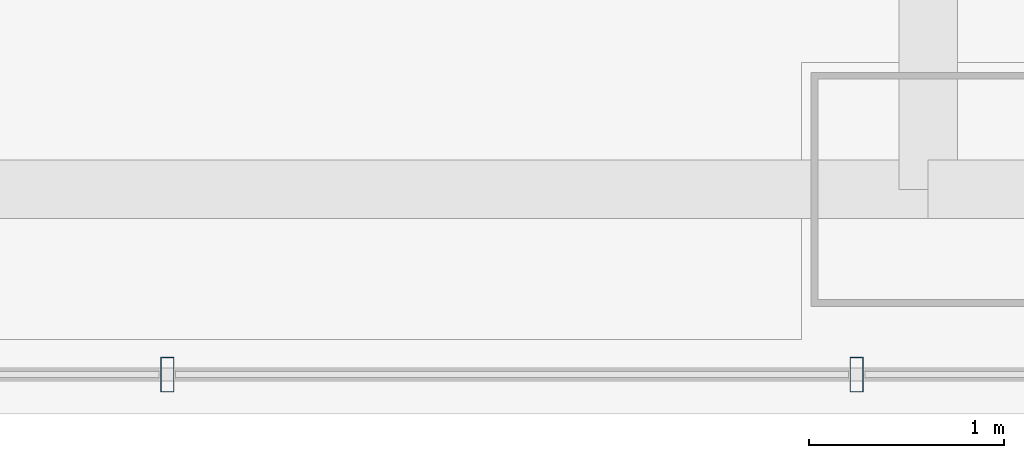
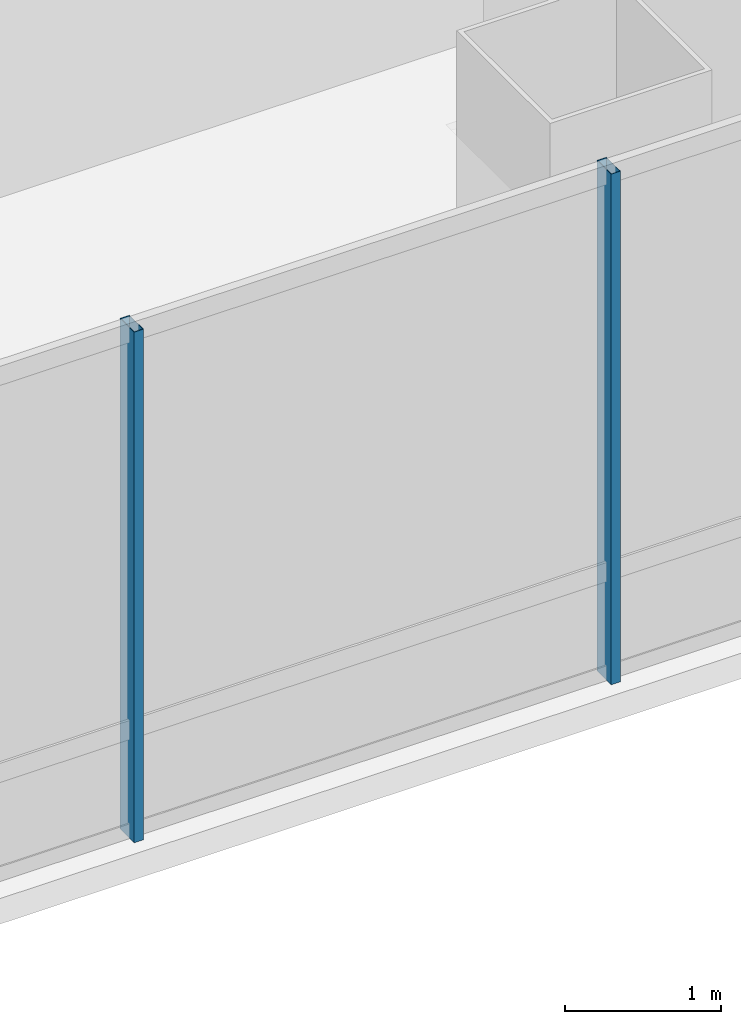
# One storey, part 7 of 41: 2 members, 1 element without a shape of its own.
"""IFC4 building model written with IfcOpenShell, lengths in metres."""

import ifcopenshell
import ifcopenshell.guid

model = None  # the IFC model being written
_history = None  # IfcOwnerHistory: only IFC2X3 demands one
_inside = {}  # id of a spatial element -> (the spatial element, [elements in it])
_under = {}  # id of a project, library or spatial element -> (it, [spatial elements below it])
_declared = {}  # id of a project -> (the project, [libraries it declares])
_typed = {}  # id of a type object -> (the type object, [elements of that type])
_made_of = {}  # id of a material, layer set ... -> (it, [elements and type objects made of it])


def new_model(schema):
    """Start an empty IFC model of exactly this schema.

    Asked for "IFC4X3", IfcOpenShell would pick the latest addendum, in which some entities
    have other attributes; the version numbers below select the first issue.
    IFC2X3 requires an IfcOwnerHistory on every rooted entity: one is made here for all.
    """
    global model, _history
    if schema == "IFC4X3":
        model = ifcopenshell.file(schema_version=(4, 3, 0, 0))
    else:
        model = ifcopenshell.file(schema=schema)
    _inside.clear()
    _under.clear()
    _declared.clear()
    _typed.clear()
    _made_of.clear()
    _history = None
    if model.schema == "IFC2X3":
        org = make("IfcOrganization", Name="unknown")
        user = make(
            "IfcPersonAndOrganization",
            ThePerson=make("IfcPerson", FamilyName="unknown"),
            TheOrganization=org,
        )
        app = make(
            "IfcApplication",
            ApplicationDeveloper=org,
            Version="unknown",
            ApplicationFullName="unknown",
            ApplicationIdentifier="unknown",
        )
        _history = make(
            "IfcOwnerHistory",
            OwningUser=user,
            OwningApplication=app,
            ChangeAction="ADDED",
            CreationDate=0,
        )
    return model


def make(cls, **values):
    """One entity of the class cls with the attributes given. An attribute that is None is left unset."""
    return model.create_entity(
        cls, **{name: value for name, value in values.items() if value is not None}
    )


def rooted(cls, **values):
    """An entity with a GlobalId (a new one), such as an element, a storey or a relation."""
    return make(cls, GlobalId=ifcopenshell.guid.new(), OwnerHistory=_history, **values)


def si_unit(unit_type, name, prefix=None):
    """IfcSIUnit, for example si_unit("LENGTHUNIT", "METRE", prefix="MILLI")."""
    return make("IfcSIUnit", UnitType=unit_type, Prefix=prefix, Name=name)


def assignment(units):
    """IfcUnitAssignment: the units of a project."""
    return None if units is None else make("IfcUnitAssignment", Units=units)


def point(xyz):
    """IfcCartesianPoint."""
    return None if xyz is None else make("IfcCartesianPoint", Coordinates=xyz)


def direction(xyz):
    """IfcDirection."""
    return None if xyz is None else make("IfcDirection", DirectionRatios=xyz)


def frame(location, z_axis=None, x_axis=None):
    """IfcAxis2Placement3D, a coordinate frame: its origin and axes. An axis left out is left unset."""
    return make(
        "IfcAxis2Placement3D",
        Location=point(location),
        Axis=direction(z_axis),
        RefDirection=direction(x_axis),
    )


def frame_2d(location, x_axis=None):
    """IfcAxis2Placement2D, a coordinate frame in the plane: its origin and x axis."""
    return make(
        "IfcAxis2Placement2D", Location=point(location), RefDirection=direction(x_axis)
    )


def origin():
    """The frame at (0, 0, 0) with its axes left unset."""
    return frame((0.0, 0.0, 0.0))


def origin_2d():
    """The frame at (0, 0) in the plane with its x axis left unset."""
    return frame_2d((0.0, 0.0))


def place(relative_to, where):
    """IfcLocalPlacement: puts the frame where relative to a parent placement (None: the world)."""
    return make(
        "IfcLocalPlacement", PlacementRelTo=relative_to, RelativePlacement=where
    )


def context(
    kind, dimensions, precision=None, world=None, true_north=None, identifier=None
):
    """IfcGeometricRepresentationContext, for example the 3D "Model" context."""
    return make(
        "IfcGeometricRepresentationContext",
        ContextIdentifier=identifier,
        ContextType=kind,
        CoordinateSpaceDimension=dimensions,
        Precision=precision,
        WorldCoordinateSystem=world,
        TrueNorth=true_north,
    )


def subcontext(parent, identifier, kind, view, scale=None):
    """IfcGeometricRepresentationSubContext, for example "Body" below "Model"."""
    return make(
        "IfcGeometricRepresentationSubContext",
        ContextIdentifier=identifier,
        ContextType=kind,
        ParentContext=parent,
        TargetScale=scale,
        TargetView=view,
    )


def project(units=None, contexts=None):
    """IfcProject with its units and contexts."""
    return rooted(
        "IfcProject",
        Name="project",
        RepresentationContexts=contexts,
        UnitsInContext=assignment(units),
    )


def spatial(cls, under=None, at=None, **own):
    """A site, building, storey or space (cls), placed at a placement, below another one or the project."""
    s = rooted(cls, ObjectPlacement=at, **own)
    if under is not None:
        _under.setdefault(under.id(), (under, []))[1].append(s)
    return s


def profile(cls, at=None, kind="AREA", **sizes):
    """A parametric profile (cls). Its sizes go by their IFC names, for example OverallWidth=200.0."""
    return make(cls, ProfileType=kind, Position=at, **sizes)


def hollow_rectangle(**sizes):
    """IfcRectangleHollowProfileDef."""
    return profile("IfcRectangleHollowProfileDef", **sizes)


def extrude(swept, where, along, depth):
    """IfcExtrudedAreaSolid: the profile swept, set in the frame where, extruded along a direction by depth."""
    return make(
        "IfcExtrudedAreaSolid",
        SweptArea=swept,
        Position=where,
        ExtrudedDirection=direction(along),
        Depth=depth,
    )


def shape(context_of_items, identifier, shape_type, items):
    """IfcShapeRepresentation: the items that make up one representation, for example the "Body"."""
    return make(
        "IfcShapeRepresentation",
        ContextOfItems=context_of_items,
        RepresentationIdentifier=identifier,
        RepresentationType=shape_type,
        Items=items,
    )


def material(Name=None, Category=None):
    """IfcMaterial."""
    return make("IfcMaterial", Name=Name, Category=Category)


def material_profile(
    of_material, cross_section, Name=None, Category=None, Priority=None
):
    """IfcMaterialProfile: a cross section and its material."""
    return make(
        "IfcMaterialProfile",
        Name=Name,
        Material=of_material,
        Profile=cross_section,
        Priority=Priority,
        Category=Category,
    )


def profile_set(profiles, Name=None, composite=None):
    """IfcMaterialProfileSet."""
    return make(
        "IfcMaterialProfileSet",
        Name=Name,
        MaterialProfiles=profiles,
        CompositeProfile=composite,
    )


def made_of(thing, what):
    """Note that an element or type object is made of a material, layer set ...; save() writes the relation."""
    if what is not None:
        _made_of.setdefault(what.id(), (what, []))[1].append(thing)
    return thing


def type_object(cls, material=None, **own):
    """A type object (cls), such as IfcWallType, which elements share."""
    return made_of(rooted(cls, **own), material)


def element(
    cls,
    number,
    at=None,
    inside=None,
    cuts=None,
    type_object=None,
    material=None,
    context=None,
    identifier="Body",
    shape_type=None,
    held_by="IfcProductDefinitionShape",
    body=None,
    shapes=None,
    **own,
):
    """One element of the class cls, such as IfcWall. Its Tag is "e" and its number.

    at: its placement. inside: the storey or other place that contains it. cuts: it is an
    opening in that element (IfcRelVoidsElement). A single representation is given by context,
    identifier, shape_type and body (its items); several are given by shapes. held_by: the class
    of the entity that holds the representations. save() writes the other relations.
    """
    e = rooted(cls, Tag="e%d" % number, ObjectPlacement=at, **own)
    if body is not None:
        shapes = [shape(context, identifier, shape_type, body)]
    if shapes is not None:
        e.Representation = make(held_by, Representations=shapes)
    if inside is not None:
        _inside.setdefault(inside.id(), (inside, []))[1].append(e)
    if cuts is not None:
        rooted(
            "IfcRelVoidsElement", RelatingBuildingElement=cuts, RelatedOpeningElement=e
        )
    if type_object is not None:
        _typed.setdefault(type_object.id(), (type_object, []))[1].append(e)
    return made_of(e, material)


def aggregate(whole, parts):
    """IfcRelAggregates: a whole, such as a stair, and the parts it consists of."""
    return rooted("IfcRelAggregates", RelatingObject=whole, RelatedObjects=parts)


def save(model, path):
    """Write the relations noted so far, then the file.

    IfcRelAggregates (storeys below a building ...), IfcRelContainedInSpatialStructure (elements
    in a storey), IfcRelDefinesByType, IfcRelAssociatesMaterial and IfcRelDeclares: one each for
    every whole, place, type object, material and project.
    """
    for whole, parts in _under.values():
        aggregate(whole, parts)
    for where, things in _inside.values():
        rooted(
            "IfcRelContainedInSpatialStructure",
            RelatedElements=things,
            RelatingStructure=where,
        )
    for kind, things in _typed.values():
        rooted("IfcRelDefinesByType", RelatedObjects=things, RelatingType=kind)
    for what, things in _made_of.values():
        rooted("IfcRelAssociatesMaterial", RelatedObjects=things, RelatingMaterial=what)
    for by, libraries in _declared.values():
        rooted("IfcRelDeclares", RelatingContext=by, RelatedDefinitions=libraries)
    model.write(path)


model = new_model("IFC4")

# Units and contexts
model_context = context("Model", 3, precision=1e-05, world=origin(), true_north=direction((0.0, 1.0)))
body_context = subcontext(model_context, "Body", "Model", "MODEL_VIEW")
ifc_project = project(units=[si_unit("LENGTHUNIT", "METRE"), si_unit("AREAUNIT", "SQUARE_METRE"), si_unit("VOLUMEUNIT", "CUBIC_METRE"), si_unit("PLANEANGLEUNIT", "RADIAN"), si_unit("MASSUNIT", "GRAM", prefix="KILO")], contexts=[model_context])

# Site, building, storey
site_placement = place(None, origin())
site = spatial("IfcSite", under=ifc_project, at=site_placement, CompositionType="ELEMENT")
building_placement = place(site_placement, origin())
building = spatial("IfcBuilding", under=site, at=building_placement, Name="Punatoya Terracotta Tower", CompositionType="ELEMENT")
storey_placement = place(building_placement, frame((0.0, 0.0, 292.199951171875)))
storey = spatial("IfcBuildingStorey", under=building, at=storey_placement, Name="L69", CompositionType="ELEMENT", Elevation=292.199951171875)

# Curtain wall, members
ifc_material_1 = material(Name="Aluminium 6063-T6 + Double Low-E Glass", Category="aluminium")
curtain_wall_type = type_object("IfcCurtainWallType", Name="CW-M3", PredefinedType="NOTDEFINED", material=ifc_material_1)
curtain_wall_placement = place(storey_placement, origin())
curtain_wall = element("IfcCurtainWall", 1, at=curtain_wall_placement, inside=storey, type_object=curtain_wall_type, Name="L69 Curtain Wall CW-L69-S01-1", PredefinedType="NOTDEFINED")
ifc_material_2 = material(Name="Aluminium 6063-T6", Category="aluminium")
ifc_material_profile = material_profile(ifc_material_2, hollow_rectangle(XDim=0.070068359375, YDim=0.179931640625, WallThickness=0.00390625, at=origin_2d()))
ifc_profile_set = profile_set([ifc_material_profile], Name="Aluminium 6063-T6")
member_type = type_object("IfcMemberType", Name="CW-MUL-M3", PredefinedType="MULLION", material=ifc_profile_set)
member_1_placement = place(storey_placement, frame((-7.700927734375, -18.449951171875, 0.0), z_axis=(0.0, 0.0, 1.0), x_axis=(1.0, 0.0, 0.0)))
member_1 = element("IfcMember", 2, at=member_1_placement, type_object=member_type, Name="CW-L69-S01-1 Mullion 04", PredefinedType="MULLION", context=body_context, shape_type="SweptSolid", body=[
    extrude(hollow_rectangle(XDim=0.070068359375, YDim=0.179931640625, WallThickness=0.00390625, at=origin_2d()), origin(), (0.0, 0.0, 1.0), 4.0),
])
member_2_placement = place(storey_placement, frame((-4.1669921875, -18.449951171875, 0.0), z_axis=(0.0, 0.0, 1.0), x_axis=(1.0, 0.0, 0.0)))
member_2 = element("IfcMember", 3, at=member_2_placement, type_object=member_type, Name="CW-L69-S01-1 Mullion 05", PredefinedType="MULLION", context=body_context, shape_type="SweptSolid", body=[
    extrude(hollow_rectangle(XDim=0.070068359375, YDim=0.179931640625, WallThickness=0.00390625, at=origin_2d()), origin(), (0.0, 0.0, 1.0), 4.0),
])
aggregate(curtain_wall, [member_1, member_2])

save(model, "model.ifc")
